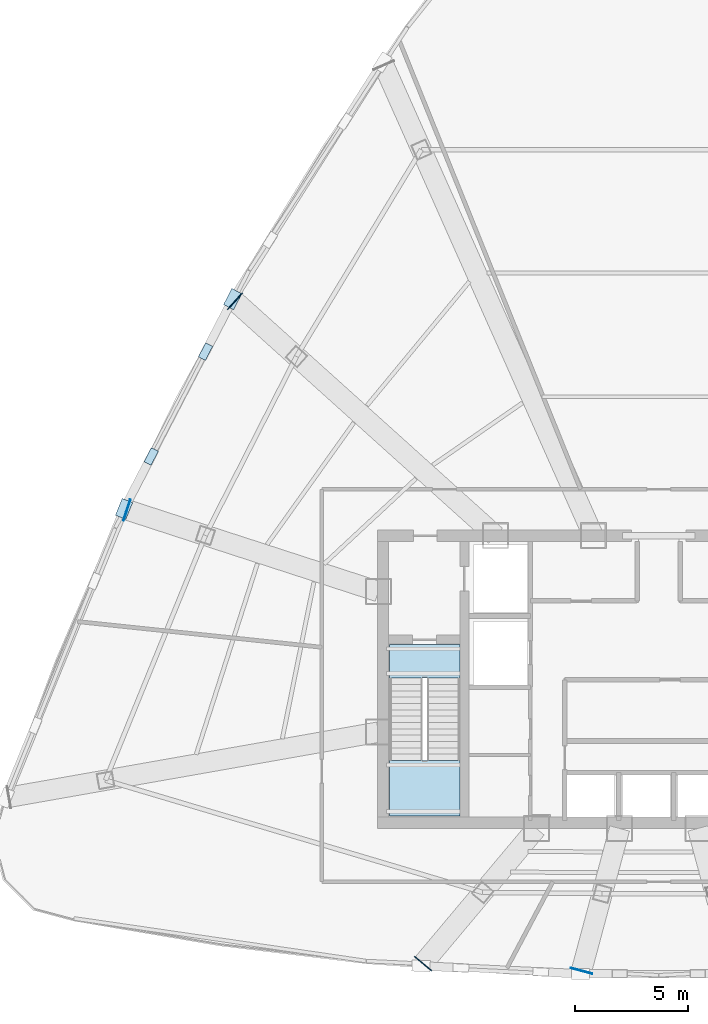
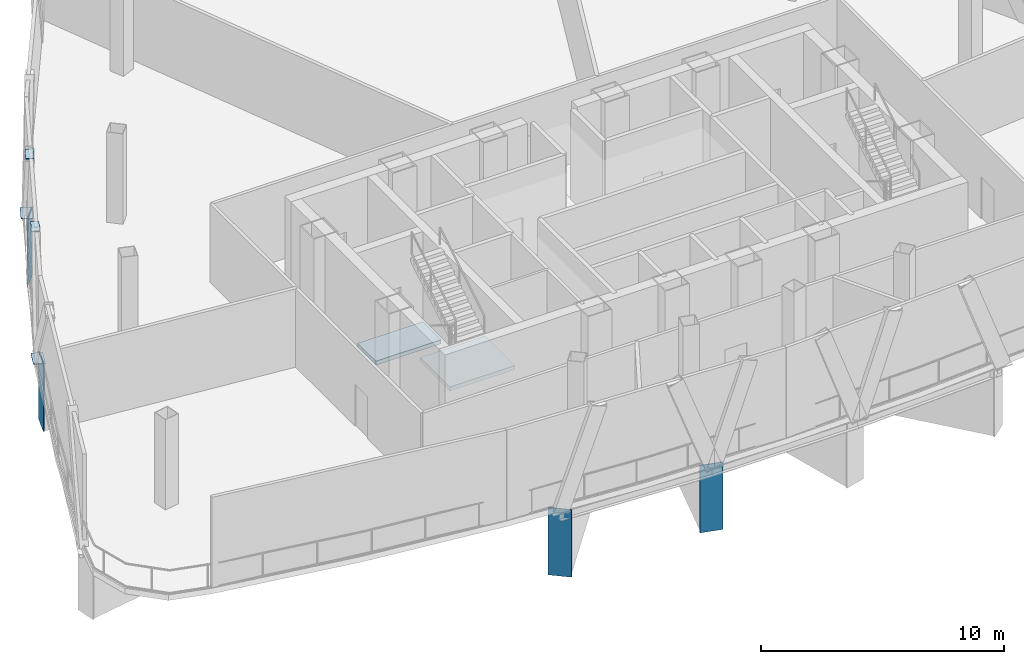
# One storey, part 3 of 12: 8 plates, 2 slabs, 1 element without a shape of its own.
"""IFC4 building model written with IfcOpenShell, lengths in metres."""

from ifc_helpers import new_model, si_unit, direction, frame, origin, origin_2d, place, context, subcontext, project, spatial, polyline, rectangle, outline, extrude, source, transform, mapped, material, layer, layer_set, type_object, element, aggregate, save


model = new_model("IFC4")

# Units and contexts
model_context = context("Model", 3, precision=1e-05, world=origin(), true_north=direction((0.0, 1.0)))
body_context = subcontext(model_context, "Body", "Model", "MODEL_VIEW")
ifc_project = project(units=[si_unit("LENGTHUNIT", "METRE"), si_unit("AREAUNIT", "SQUARE_METRE"), si_unit("VOLUMEUNIT", "CUBIC_METRE"), si_unit("PLANEANGLEUNIT", "RADIAN"), si_unit("MASSUNIT", "GRAM", prefix="KILO"), si_unit("THERMODYNAMICTEMPERATUREUNIT", "KELVIN"), si_unit("POWERUNIT", "WATT")], contexts=[model_context])

# Site, building, storey
site_placement = place(None, origin())
site = spatial("IfcSite", under=ifc_project, at=site_placement, CompositionType="ELEMENT")
building_placement = place(site_placement, origin())
building = spatial("IfcBuilding", under=site, at=building_placement, Name="Yunzhuo Pagoda Commons", CompositionType="ELEMENT")
storey_placement = place(building_placement, frame((0.0, 0.0, 320.7099609375)))
storey = spatial("IfcBuildingStorey", under=building, at=storey_placement, Name="L80", CompositionType="ELEMENT", Elevation=320.7099609375)

# Stair, slabs
ifc_material_1 = material(Name="Concrete C40", Category="concrete")
stair_type = type_object("IfcStairType", Name="ST-C1 Core Smokeproof Stair ST1", PredefinedType="HALF_TURN_STAIR", material=ifc_material_1)
stair_placement = place(storey_placement, origin())
stair = element("IfcStair", 1, at=stair_placement, inside=storey, type_object=stair_type, Name="L80 Core smokeproof stair ST1", PredefinedType="HALF_TURN_STAIR")
ifc_layer_1 = layer(ifc_material_1, 0.199951171875)
ifc_layer_set_1 = layer_set([ifc_layer_1], Name="Concrete C40")
slab_type = type_object("IfcSlabType", Name="SL-LND1 Stair Landing Slab 200", PredefinedType="LANDING", material=ifc_layer_set_1)
slab_1_placement = place(storey_placement, frame((0.0, 0.0, 2.199951171875)))
slab_1 = element("IfcSlab", 2, at=slab_1_placement, type_object=slab_type, Name="ST1 landing 1", PredefinedType="LANDING", context=body_context, shape_type="SweptSolid", body=[
    extrude(outline(polyline([(36.10009765625, 30.260009765625), (36.10009765625, 27.800048828125), (39.199951171875, 27.800048828125), (39.199951171875, 30.260009765625), (36.10009765625, 30.260009765625)])), origin(), (0.0, 0.0, 1.0), 0.2001953125),
])
slab_2_placement = place(storey_placement, frame((0.0, 0.0, -0.199951171875)))
slab_2 = element("IfcSlab", 3, at=slab_2_placement, type_object=slab_type, Name="ST1 floor landing L80", PredefinedType="LANDING", context=body_context, shape_type="SweptSolid", body=[
    extrude(outline(polyline([(36.10009765625, 35.39990234375), (36.10009765625, 33.89990234375), (39.199951171875, 33.89990234375), (39.199951171875, 35.39990234375), (36.10009765625, 35.39990234375)])), origin(), (0.0, 0.0, 1.0), 0.199951171875),
])
aggregate(stair, [slab_1, slab_2])

# Plates
ifc_material_2 = material(Name="Structural steel Q420B", Category="steel")
ifc_layer_2 = layer(ifc_material_2, 0.0400390625)
ifc_layer_set_2 = layer_set([ifc_layer_2], Name="Structural steel Q420B")
plate_type_1 = type_object("IfcPlateType", Name="EP-TR2 Transfer Girder End Cap Plate 980x3540x40", PredefinedType="USERDEFINED", material=ifc_layer_set_2)
shared_shape_1 = source(origin(), body_context, "Body", "SweptSolid", [
    extrude(rectangle(XDim=0.97998046875, YDim=0.0400390625, at=origin_2d()), origin(), (0.0, 0.0, 1.0), 3.389892578125),
])
for number, where, z_axis, x_axis, name in (
    (4, (37.573486328125, 21.2744140625, -3.64990234375), (0.0, 0.0, 1.0), (0.766044443119, -0.642787609687, 0.0), "L80 transfer girder end cap plate F1C1"),
    (5, (44.58349609375, 20.94921875, -3.64990234375), (0.0, 0.0, 1.0), (0.965925826289, -0.258819045103, 0.0), "L80 transfer girder end cap plate F1C2"),
    (6, (29.258056640625, 50.5751953125, -3.64990234375), (0.0, 0.0, 1.0), (-0.669130606359, -0.743144825477, 0.0), "L80 transfer girder end cap plate F3C2"),
    (7, (24.478515625, 41.342529296875, -3.64990234375), (0.0, 0.0, 1.0), (-0.309016994375, -0.951056516295, 0.0), "L80 transfer girder end cap plate F3C3"),
):
    element("IfcPlate", number, at=place(storey_placement, frame(where, z_axis=z_axis, x_axis=x_axis)), inside=storey, type_object=plate_type_1, Name=name, ObjectType="END_PLATE", PredefinedType="USERDEFINED", context=body_context, shape_type="MappedRepresentation", body=[
        mapped(shared_shape_1, transform((0.0, 0.0, 0.0), scale=1.0)),
    ])
ifc_material_3 = material(Name="Structural steel Q355B", Category="steel")
ifc_layer_3 = layer(ifc_material_3, 0.028076171875)
ifc_layer_set_3 = layer_set([ifc_layer_3], Name="Structural steel Q355B")
plate_type_2 = type_object("IfcPlateType", Name="SP-ND1 Lattice Node Cap Plate 800x500x28", PredefinedType="USERDEFINED", material=ifc_layer_set_3)
shared_shape_2 = source(origin(), body_context, "Body", "SweptSolid", [
    extrude(rectangle(XDim=0.800048828125, YDim=0.5, at=origin_2d()), origin(), (0.0, 0.0, 1.0), 0.028076171875),
])
for number, where, z_axis, x_axis, name in (
    (8, (29.15625, 50.6669921875, -0.2939453125), (0.0, 0.0, 1.0), (-0.459951842017, -0.887943862541, 0.0), "L80 diamond node plate F3.2A"),
    (9, (24.348388671875, 41.385009765625, -0.2939453125), (0.0, 0.0, 1.0), (-0.378567847265, -0.925573543819, 0.0), "L80 diamond node plate F3.3A"),
):
    element("IfcPlate", number, at=place(storey_placement, frame(where, z_axis=z_axis, x_axis=x_axis)), inside=storey, type_object=plate_type_2, Name=name, ObjectType="STIFFENER_PLATE", PredefinedType="USERDEFINED", context=body_context, shape_type="MappedRepresentation", body=[
        mapped(shared_shape_2, transform((0.0, 0.0, 0.0), scale=1.0)),
    ])
shared_shape_3 = source(origin(), body_context, "Body", "SweptSolid", [
    extrude(rectangle(XDim=0.699951171875, YDim=0.35009765625, at=origin_2d()), origin(), (0.0, 0.0, 1.0), 0.035888671875),
])
for number, where, z_axis, x_axis, name in (
    (10, (27.954345703125, 48.346435546875, 4.501953125), (0.0, 0.0, 1.0), (-0.459951842017, -0.887943862541, 0.0), "L80 setback lattice tie plate F3.2L"),
    (11, (25.55029296875, 43.705322265625, 4.501953125), (0.0, 0.0, 1.0), (-0.459951842017, -0.887943862541, 0.0), "L80 setback lattice tie plate F3.2R"),
):
    element("IfcPlate", number, at=place(storey_placement, frame(where, z_axis=z_axis, x_axis=x_axis)), inside=storey, type_object=plate_type_2, Name=name, ObjectType="STIFFENER_PLATE", PredefinedType="USERDEFINED", context=body_context, shape_type="MappedRepresentation", body=[
        mapped(shared_shape_3, transform((0.0, 0.0, 0.0), scale=1.0)),
    ])

save(model, "model.ifc")
